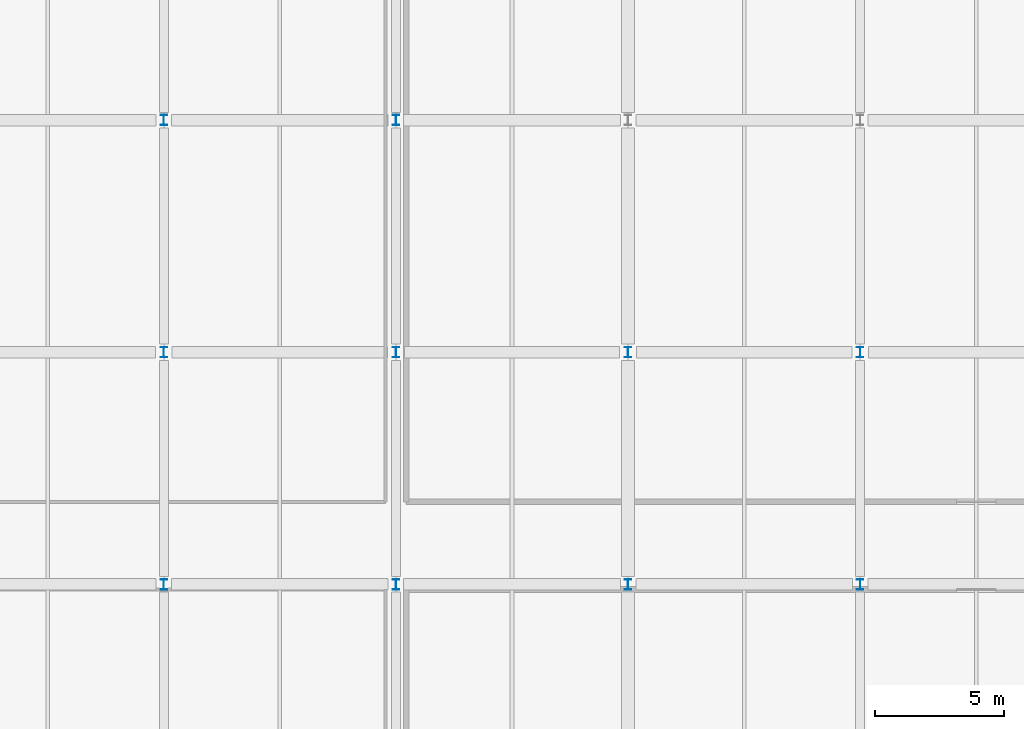
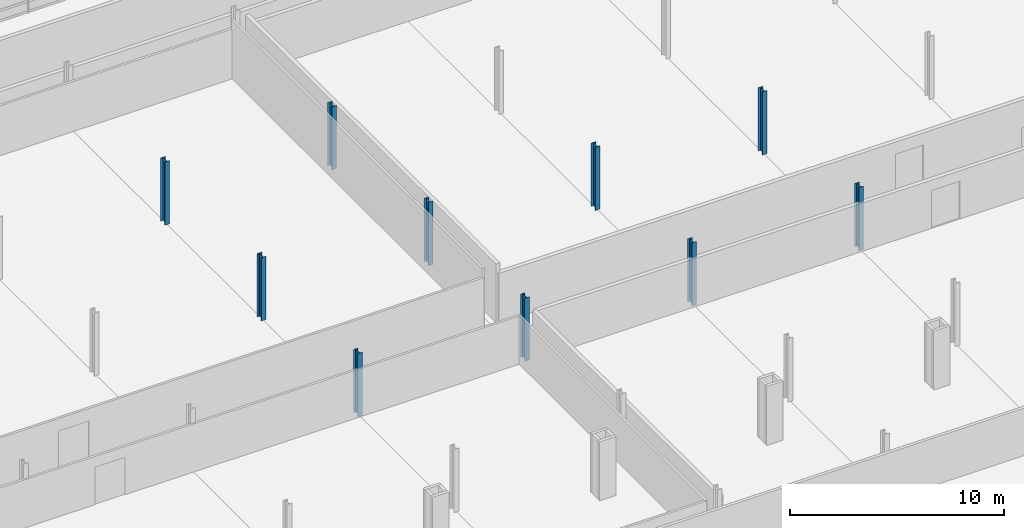
# One storey, part 8 of 132: 10 columns.
"""IFC4 building model written with IfcOpenShell, lengths in metres."""

from ifc_helpers import new_model, si_unit, direction, frame, origin, origin_2d, place, context, subcontext, project, spatial, i_section, extrude, material, material_profile, profile_set, type_object, element, save


model = new_model("IFC4")

# Units and contexts
model_context = context("Model", 3, precision=1e-05, world=origin(), true_north=direction((0.0, 1.0)))
body_context = subcontext(model_context, "Body", "Model", "MODEL_VIEW")
ifc_project = project(units=[si_unit("LENGTHUNIT", "METRE"), si_unit("AREAUNIT", "SQUARE_METRE"), si_unit("VOLUMEUNIT", "CUBIC_METRE"), si_unit("PLANEANGLEUNIT", "RADIAN"), si_unit("MASSUNIT", "GRAM", prefix="KILO")], contexts=[model_context])

# Site, building, storey
site_placement = place(None, origin())
site = spatial("IfcSite", under=ifc_project, at=site_placement, CompositionType="ELEMENT")
building_placement = place(site_placement, origin())
building = spatial("IfcBuilding", under=site, at=building_placement, Name="Tharagai Park Tramway Depot", CompositionType="ELEMENT")
storey_placement = place(building_placement, frame((0.0, 0.0, 4.800048828125)))
storey = spatial("IfcBuildingStorey", under=building, at=storey_placement, Name="L01", CompositionType="ELEMENT", Elevation=4.800048828125)

# Columns
ifc_material = material(Name="Steel E350", Category="steel")
ifc_material_profile = material_profile(ifc_material, i_section(OverallWidth=0.25, OverallDepth=0.39990234375, WebThickness=0.010498046875, FlangeThickness=0.0126953125, FilletRadius=0.013916015625, at=origin_2d()), Name="ISHB 400")
ifc_profile_set = profile_set([ifc_material_profile], Name="Steel E350")
column_type = type_object("IfcColumnType", Name="CL-06", PredefinedType="COLUMN", material=ifc_profile_set)
for number, where, z_axis, x_axis, name in (
    (1, (36.0, 63.0, 0.0), (0.0, 0.0, 1.0), (1.0, 0.0, 0.0), "L01 Structural Column CL-06 (36,63)"),
    (2, (36.0, 72.0, 0.0), (0.0, 0.0, 1.0), (1.0, 0.0, 0.0), "L01 Structural Column CL-06 (36,72)"),
    (3, (36.0, 81.0, 0.0), (0.0, 0.0, 1.0), (1.0, 0.0, 0.0), "L01 Structural Column CL-06 (36,81)"),
    (4, (45.0, 63.0, 0.0), (0.0, 0.0, 1.0), (1.0, 0.0, 0.0), "L01 Structural Column CL-06 (45,63)"),
    (5, (45.0, 72.0, 0.0), (0.0, 0.0, 1.0), (1.0, 0.0, 0.0), "L01 Structural Column CL-06 (45,72)"),
    (6, (45.0, 81.0, 0.0), (0.0, 0.0, 1.0), (1.0, 0.0, 0.0), "L01 Structural Column CL-06 (45,81)"),
    (7, (54.0, 63.0, 0.0), (0.0, 0.0, 1.0), (1.0, 0.0, 0.0), "L01 Structural Column CL-06 (54,63)"),
    (8, (54.0, 72.0, 0.0), (0.0, 0.0, 1.0), (1.0, 0.0, 0.0), "L01 Structural Column CL-06 (54,72)"),
    (9, (63.0, 63.0, 0.0), (0.0, 0.0, 1.0), (1.0, 0.0, 0.0), "L01 Structural Column CL-06 (63,63)"),
    (10, (63.0, 72.0, 0.0), (0.0, 0.0, 1.0), (1.0, 0.0, 0.0), "L01 Structural Column CL-06 (63,72)"),
):
    element("IfcColumn", number, at=place(storey_placement, frame(where, z_axis=z_axis, x_axis=x_axis)), inside=storey, type_object=column_type, Name=name, PredefinedType="COLUMN", context=body_context, shape_type="SweptSolid", body=[
        extrude(i_section(OverallWidth=0.25, OverallDepth=0.39990234375, WebThickness=0.010498046875, FlangeThickness=0.0126953125, FilletRadius=0.013916015625, at=origin_2d()), origin(), (0.0, 0.0, 1.0), 3.599853515625),
    ])

save(model, "model.ifc")
